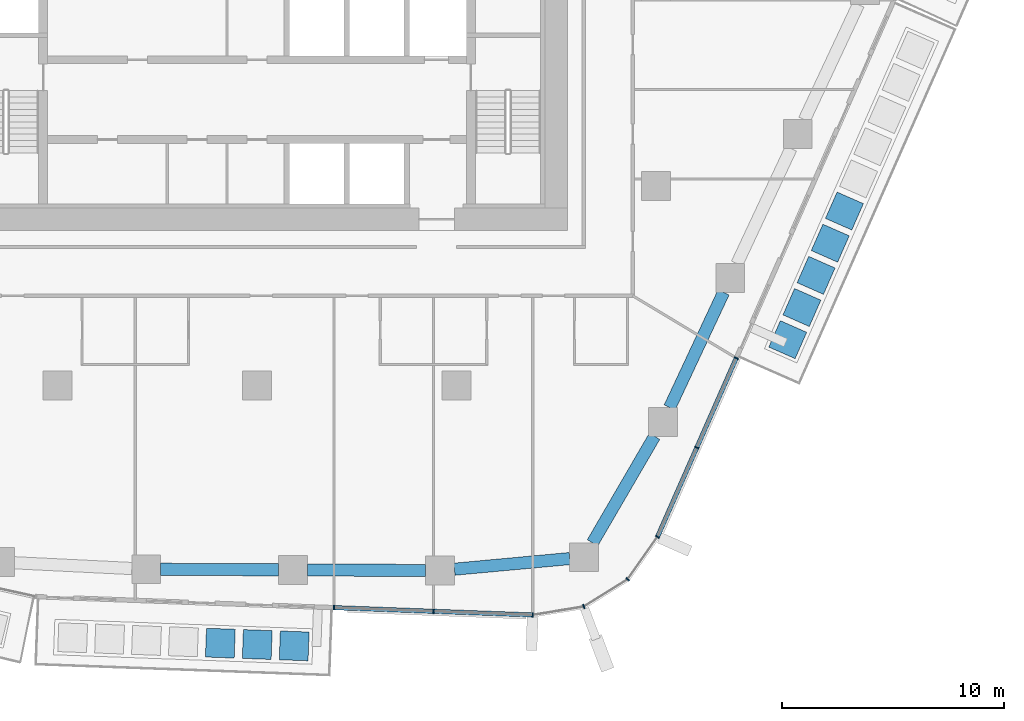
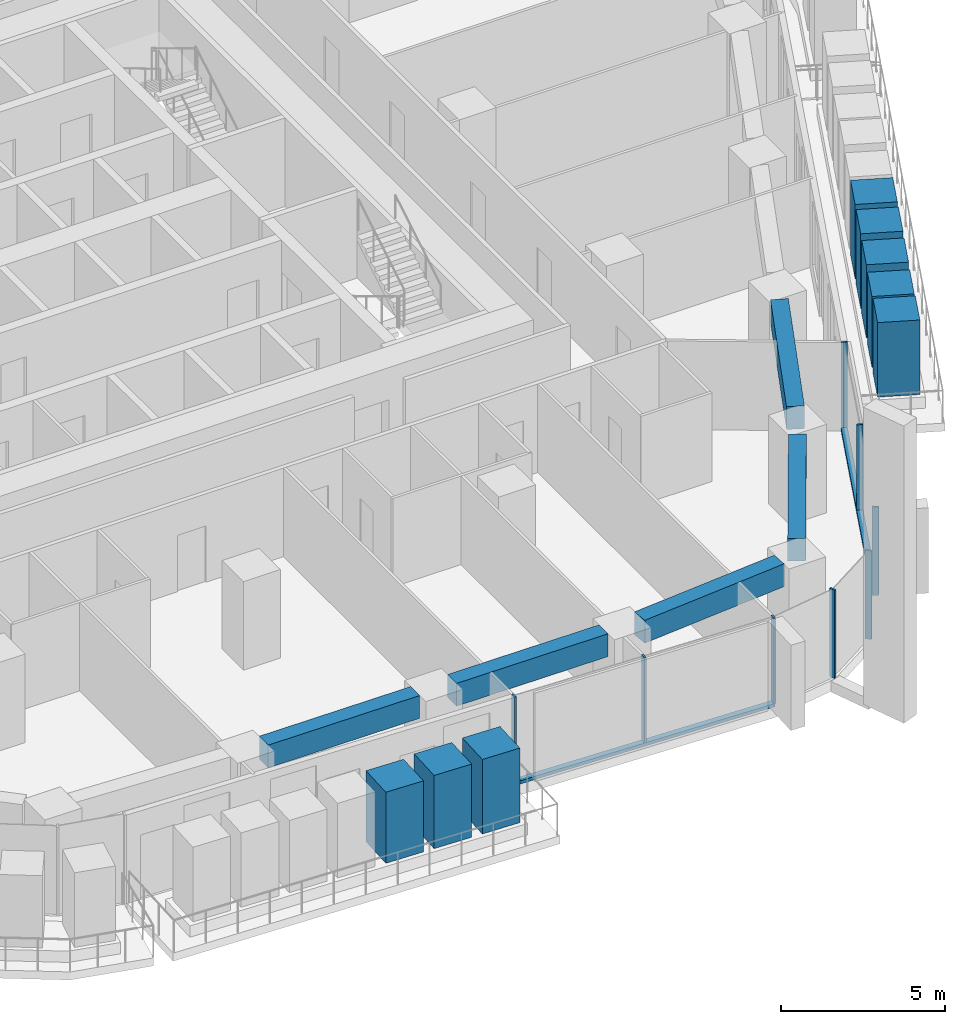
# One storey, part 4 of 24: 18 members, 5 beams, 3 elements without a shape of their own.
"""IFC4 building model written with IfcOpenShell, lengths in metres."""

from ifc_helpers import new_model, si_unit, direction, frame, origin, origin_2d, place, context, subcontext, project, spatial, rectangle, extrude, material, layer, layer_set, material_profile, profile_set, type_object, element, aggregate, save


model = new_model("IFC4")

# Units and contexts
model_context = context("Model", 3, precision=1e-05, world=origin(), true_north=direction((0.0, 1.0)))
body_context = subcontext(model_context, "Body", "Model", "MODEL_VIEW")
ifc_project = project(units=[si_unit("LENGTHUNIT", "METRE"), si_unit("AREAUNIT", "SQUARE_METRE"), si_unit("VOLUMEUNIT", "CUBIC_METRE"), si_unit("PLANEANGLEUNIT", "RADIAN"), si_unit("MASSUNIT", "GRAM", prefix="KILO")], contexts=[model_context])

# Site, building, storey
site_placement = place(None, origin())
site = spatial("IfcSite", under=ifc_project, at=site_placement, CompositionType="ELEMENT")
building_placement = place(site_placement, origin())
building = spatial("IfcBuilding", under=site, at=building_placement, Name="Dongbaek Canopy Tower", CompositionType="ELEMENT")
storey_placement = place(building_placement, frame((0.0, 0.0, 106.300048828125)))
storey = spatial("IfcBuildingStorey", under=building, at=storey_placement, Name="L22", CompositionType="ELEMENT", Elevation=106.300048828125)

# Curtain wall, members
ifc_material_1 = material(Name="Aluminium 6063-T6 pale anodised", Category="aluminium")
ifc_layer = layer(ifc_material_1, 0.199951171875)
ifc_layer_set = layer_set([ifc_layer], Name="CW-1 unitised tower curtain wall")
curtain_wall_type = type_object("IfcCurtainWallType", Name="CW-1 unitised tower curtain wall", PredefinedType="NOTDEFINED", material=ifc_layer_set)
curtain_wall_1_placement = place(storey_placement, origin())
curtain_wall_1 = element("IfcCurtainWall", 1, at=curtain_wall_1_placement, inside=storey, type_object=curtain_wall_type, Name="CW-1 curtain wall F4.1", PredefinedType="NOTDEFINED")
ifc_material_2 = material(Name="Aluminium 6063-T6 pale anodised", Category="aluminium")
ifc_material_profile_1 = material_profile(ifc_material_2, rectangle(XDim=0.199951171875, YDim=0.06005859375, at=origin_2d()), Name="CW-1 mullion 60 x 200")
ifc_profile_set_1 = profile_set([ifc_material_profile_1], Name="Aluminium 6063-T6 pale anodised")
member_type_1 = type_object("IfcMemberType", Name="CW-1 mullion 60 x 200", PredefinedType="MULLION", material=ifc_profile_set_1)
member_1_placement = place(storey_placement, frame((3.475830078125, -28.024169921875, 0.119873046875), z_axis=(0.0, 0.0, 1.0), x_axis=(-0.036872652499, -0.99931997253, 0.0)))
member_1 = element("IfcMember", 2, at=member_1_placement, type_object=member_type_1, Name="CW-1 mullion F4.1.1", PredefinedType="MULLION", context=body_context, shape_type="SweptSolid", body=[
    extrude(rectangle(XDim=0.199951171875, YDim=0.06005859375, at=origin_2d()), origin(), (0.0, 0.0, 1.0), 3.18017578125),
])
member_2_placement = place(storey_placement, frame((7.962646484375, -28.189697265625, 0.119873046875), z_axis=(0.0, 0.0, 1.0), x_axis=(-0.036872652499, -0.99931997253, 0.0)))
member_2 = element("IfcMember", 3, at=member_2_placement, type_object=member_type_1, Name="CW-1 mullion F4.1.2", PredefinedType="MULLION", context=body_context, shape_type="SweptSolid", body=[
    extrude(rectangle(XDim=0.199951171875, YDim=0.06005859375, at=origin_2d()), origin(), (0.0, 0.0, 1.0), 3.18017578125),
])
member_3_placement = place(storey_placement, frame((12.439453125, -28.354736328125, 0.119873046875), z_axis=(0.0, 0.0, 1.0), x_axis=(-0.036872652499, -0.99931997253, 0.0)))
member_3 = element("IfcMember", 4, at=member_3_placement, type_object=member_type_1, Name="CW-1 mullion F4.1.3", PredefinedType="MULLION", context=body_context, shape_type="SweptSolid", body=[
    extrude(rectangle(XDim=0.199951171875, YDim=0.06005859375, at=origin_2d()), origin(), (0.0, 0.0, 1.0), 3.18017578125),
])

curtain_wall_2_placement = place(storey_placement, origin())
curtain_wall_2 = element("IfcCurtainWall", 5, at=curtain_wall_2_placement, inside=storey, type_object=curtain_wall_type, Name="CW-1 curtain wall K5.1", PredefinedType="NOTDEFINED")
member_4_placement = place(storey_placement, frame((14.748291015625, -27.977783203125, 0.0), z_axis=(0.0, 0.0, 1.0), x_axis=(0.352875095739, -0.93567043707, 0.0)))
member_4 = element("IfcMember", 6, at=member_4_placement, type_object=member_type_1, Name="CW-1 mullion K5.1.2", PredefinedType="MULLION", context=body_context, shape_type="SweptSolid", body=[
    extrude(rectangle(XDim=0.199951171875, YDim=0.06005859375, at=origin_2d()), origin(), (0.0, 0.0, 1.0), 3.300048828125),
])
member_5_placement = place(storey_placement, frame((16.722412109375, -26.74169921875, 0.0), z_axis=(0.0, 0.0, 1.0), x_axis=(0.687590359938, -0.726098820355, 0.0)))
member_5 = element("IfcMember", 7, at=member_5_placement, type_object=member_type_1, Name="CW-1 mullion K5.1.3", PredefinedType="MULLION", context=body_context, shape_type="SweptSolid", body=[
    extrude(rectangle(XDim=0.199951171875, YDim=0.06005859375, at=origin_2d()), origin(), (0.0, 0.0, 1.0), 3.300048828125),
])
member_6_placement = place(storey_placement, frame((18.070068359375, -24.829345703125, 0.0), z_axis=(0.0, 0.0, 1.0), x_axis=(0.817425136867, -0.576034847572, 0.0)))
member_6 = element("IfcMember", 8, at=member_6_placement, type_object=member_type_1, Name="CW-1 mullion K5.1.4", PredefinedType="MULLION", context=body_context, shape_type="SweptSolid", body=[
    extrude(rectangle(XDim=0.199951171875, YDim=0.06005859375, at=origin_2d()), origin(), (0.0, 0.0, 1.0), 3.300048828125),
])
aggregate(curtain_wall_2, [member_4, member_5, member_6])

curtain_wall_3_placement = place(storey_placement, origin())
curtain_wall_3 = element("IfcCurtainWall", 9, at=curtain_wall_3_placement, inside=storey, type_object=curtain_wall_type, Name="CW-1 curtain wall F5.1", PredefinedType="NOTDEFINED")
member_7_placement = place(storey_placement, frame((19.84619140625, -20.799072265625, 0.119873046875), z_axis=(0.0, 0.0, 1.0), x_axis=(0.915072764797, -0.403288773867, 0.0)))
member_7 = element("IfcMember", 10, at=member_7_placement, type_object=member_type_1, Name="CW-1 mullion F5.1.2", PredefinedType="MULLION", context=body_context, shape_type="SweptSolid", body=[
    extrude(rectangle(XDim=0.199951171875, YDim=0.06005859375, at=origin_2d()), origin(), (0.0, 0.0, 1.0), 3.18017578125),
])
member_8_placement = place(storey_placement, frame((21.62646484375, -16.759765625, 0.119873046875), z_axis=(0.0, 0.0, 1.0), x_axis=(0.915072764797, -0.403288773867, 0.0)))
member_8 = element("IfcMember", 11, at=member_8_placement, type_object=member_type_1, Name="CW-1 mullion F5.1.3", PredefinedType="MULLION", context=body_context, shape_type="SweptSolid", body=[
    extrude(rectangle(XDim=0.199951171875, YDim=0.06005859375, at=origin_2d()), origin(), (0.0, 0.0, 1.0), 3.18017578125),
])

# Member
ifc_material_3 = material(Name="Aluminium 6063-T6 pale anodised", Category="aluminium")
ifc_material_profile_2 = material_profile(ifc_material_3, rectangle(XDim=0.199951171875, YDim=0.1201171875, at=origin_2d()), Name="CW-1 transom 120 x 200")
ifc_profile_set_2 = profile_set([ifc_material_profile_2], Name="Aluminium 6063-T6 pale anodised")
member_type_2 = type_object("IfcMemberType", Name="CW-1 transom 120 x 200", PredefinedType="USERDEFINED", material=ifc_profile_set_2)
member_9_placement = place(storey_placement, frame((3.475830078125, -28.024169921875, 0.06005859375), z_axis=(0.999320675071, -0.036853607355, 0.0), x_axis=(0.036853607355, 0.999320675071, 0.0)))
member_9 = element("IfcMember", 12, at=member_9_placement, type_object=member_type_2, Name="CW-1 transom F4.1.1", ObjectType="TRANSOM", PredefinedType="USERDEFINED", context=body_context, shape_type="SweptSolid", body=[
    extrude(rectangle(XDim=0.199951171875, YDim=0.1201171875, at=origin_2d()), origin(), (0.0, 0.0, 1.0), 8.9697265625),
])

aggregate(curtain_wall_1, [member_1, member_2, member_3, member_9])

member_10_placement = place(storey_placement, frame((18.070068359375, -24.829345703125, 0.06005859375), z_axis=(0.403287788943, 0.91507319887, 0.0), x_axis=(-0.91507319887, 0.403287788943, 0.0)))
member_10 = element("IfcMember", 13, at=member_10_placement, type_object=member_type_2, Name="CW-1 transom F5.1.1", ObjectType="TRANSOM", PredefinedType="USERDEFINED", context=body_context, shape_type="SweptSolid", body=[
    extrude(rectangle(XDim=0.199951171875, YDim=0.1201171875, at=origin_2d()), origin(), (0.0, 0.0, 1.0), 8.818603515625),
])

aggregate(curtain_wall_3, [member_7, member_8, member_10])

# Beams
ifc_material_4 = material(Name="Concrete C80", Category="concrete")
ifc_material_profile_3 = material_profile(ifc_material_4, rectangle(XDim=0.550048828125, YDim=0.85009765625, at=origin_2d()), Name="RC EDGE BEAM 550x850 C80")
ifc_profile_set_3 = profile_set([ifc_material_profile_3], Name="Concrete C80")
beam_type = type_object("IfcBeamType", Name="RC EDGE BEAM 550x850 C80", PredefinedType="BEAM", material=ifc_profile_set_3)
beam_1_placement = place(storey_placement, frame((14.110107421875, -25.80908203125, 2.875), z_axis=(-0.995770494827, -0.091875576911, 0.0), x_axis=(0.091875576911, -0.995770494827, 0.0)))
element("IfcBeam", 14, at=beam_1_placement, inside=storey, type_object=beam_type, Name="EDGEBEAM:L22:00", PredefinedType="BEAM", context=body_context, shape_type="SweptSolid", body=[
    extrude(rectangle(XDim=0.550048828125, YDim=0.85009765625, at=origin_2d()), origin(), (0.0, 0.0, 1.0), 5.224365234375),
])
beam_2_placement = place(storey_placement, frame((7.60791015625, -26.34619140625, 2.875), z_axis=(-0.999989714022, 0.004535620181, 0.0), x_axis=(-0.004535620181, -0.999989714022, 0.0)))
element("IfcBeam", 15, at=beam_2_placement, inside=storey, type_object=beam_type, Name="EDGEBEAM:L22:01", PredefinedType="BEAM", context=body_context, shape_type="SweptSolid", body=[
    extrude(rectangle(XDim=0.550048828125, YDim=0.85009765625, at=origin_2d()), origin(), (0.0, 0.0, 1.0), 5.328857421875),
])
beam_3_placement = place(storey_placement, frame((0.97900390625, -26.316162109375, 2.875), z_axis=(-0.999990328846, 0.004397978357, 0.0), x_axis=(-0.004397978357, -0.999990328846, 0.0)))
element("IfcBeam", 16, at=beam_3_placement, inside=storey, type_object=beam_type, Name="EDGEBEAM:L22:02", PredefinedType="BEAM", context=body_context, shape_type="SweptSolid", body=[
    extrude(rectangle(XDim=0.550048828125, YDim=0.85009765625, at=origin_2d()), origin(), (0.0, 0.0, 1.0), 5.3291015625),
])
beam_4_placement = place(storey_placement, frame((21.051513671875, -13.800048828125, 2.875), z_axis=(-0.424209119096, -0.905564256845, 0.0), x_axis=(0.905564256845, -0.424209119096, 0.0)))
element("IfcBeam", 17, at=beam_4_placement, inside=storey, type_object=beam_type, Name="EDGEBEAM:L22:24", PredefinedType="BEAM", context=body_context, shape_type="SweptSolid", body=[
    extrude(rectangle(XDim=0.550048828125, YDim=0.85009765625, at=origin_2d()), origin(), (0.0, 0.0, 1.0), 5.7333984375),
])
beam_5_placement = place(storey_placement, frame((17.9365234375, -20.2919921875, 2.875), z_axis=(-0.503057531083, -0.864252926186, 0.0), x_axis=(0.864252926186, -0.503057531083, 0.0)))
element("IfcBeam", 18, at=beam_5_placement, inside=storey, type_object=beam_type, Name="EDGEBEAM:L22:25", PredefinedType="BEAM", context=body_context, shape_type="SweptSolid", body=[
    extrude(rectangle(XDim=0.550048828125, YDim=0.85009765625, at=origin_2d()), origin(), (0.0, 0.0, 1.0), 5.562255859375),
])

# Members
ifc_material_5 = material(Name="Concrete C40/50 planter mass with planting", Category="concrete")
ifc_material_profile_4 = material_profile(ifc_material_5, rectangle(XDim=1.300048828125, YDim=1.300048828125, at=origin_2d()), Name="Terrace PLANTER shrub mass 1300 x 1300")
ifc_profile_set_4 = profile_set([ifc_material_profile_4], Name="Concrete C40/50 planter mass with planting")
member_type_3 = type_object("IfcMemberType", Name="Terrace PLANTER shrub mass 1300 x 1300", PredefinedType="USERDEFINED", material=ifc_profile_set_4)
member_11_placement = place(storey_placement, frame((-1.654296875, -29.6259765625, 0.419921875), z_axis=(0.0, 0.0, 1.0), x_axis=(-0.036872652499, -0.99931997253, 0.0)))
element("IfcMember", 19, at=member_11_placement, inside=storey, type_object=member_type_3, Name="Planter shrubs L22 4.5", ObjectType="PLANTER", PredefinedType="USERDEFINED", context=body_context, shape_type="SweptSolid", body=[
    extrude(rectangle(XDim=1.300048828125, YDim=1.300048828125, at=origin_2d()), origin(), (0.0, 0.0, 1.0), 2.650146484375),
])
member_12_placement = place(storey_placement, frame((0.01171875, -29.6875, 0.419921875), z_axis=(0.0, 0.0, 1.0), x_axis=(-0.036872652499, -0.99931997253, 0.0)))
element("IfcMember", 20, at=member_12_placement, inside=storey, type_object=member_type_3, Name="Planter shrubs L22 4.6", ObjectType="PLANTER", PredefinedType="USERDEFINED", context=body_context, shape_type="SweptSolid", body=[
    extrude(rectangle(XDim=1.300048828125, YDim=1.300048828125, at=origin_2d()), origin(), (0.0, 0.0, 1.0), 2.72998046875),
])
for number, where, z_axis, x_axis, name in (
    (21, (1.677490234375, -29.7490234375, 0.419921875), (0.0, 0.0, 1.0), (-0.036872652499, -0.99931997253, 0.0), "Planter shrubs L22 4.7"),
    (22, (23.947265625, -15.932373046875, 0.419921875), (0.0, 0.0, 1.0), (0.915072764797, -0.403288773867, 0.0), "Planter shrubs L22 5.1"),
):
    element("IfcMember", number, at=place(storey_placement, frame(where, z_axis=z_axis, x_axis=x_axis)), inside=storey, type_object=member_type_3, Name=name, ObjectType="PLANTER", PredefinedType="USERDEFINED", context=body_context, shape_type="SweptSolid", body=[
        extrude(rectangle(XDim=1.300048828125, YDim=1.300048828125, at=origin_2d()), origin(), (0.0, 0.0, 1.0), 2.780029296875),
    ])
member_13_placement = place(storey_placement, frame((24.586669921875, -14.4814453125, 0.419921875), z_axis=(0.0, 0.0, 1.0), x_axis=(0.915072764797, -0.403288773867, 0.0)))
element("IfcMember", 23, at=member_13_placement, inside=storey, type_object=member_type_3, Name="Planter shrubs L22 5.2", ObjectType="PLANTER", PredefinedType="USERDEFINED", context=body_context, shape_type="SweptSolid", body=[
    extrude(rectangle(XDim=1.300048828125, YDim=1.300048828125, at=origin_2d()), origin(), (0.0, 0.0, 1.0), 2.650146484375),
])
member_14_placement = place(storey_placement, frame((25.226318359375, -13.0302734375, 0.419921875), z_axis=(0.0, 0.0, 1.0), x_axis=(0.915072764797, -0.403288773867, 0.0)))
element("IfcMember", 24, at=member_14_placement, inside=storey, type_object=member_type_3, Name="Planter shrubs L22 5.3", ObjectType="PLANTER", PredefinedType="USERDEFINED", context=body_context, shape_type="SweptSolid", body=[
    extrude(rectangle(XDim=1.300048828125, YDim=1.300048828125, at=origin_2d()), origin(), (0.0, 0.0, 1.0), 2.72998046875),
])
member_15_placement = place(storey_placement, frame((25.86572265625, -11.579345703125, 0.419921875), z_axis=(0.0, 0.0, 1.0), x_axis=(0.915072764797, -0.403288773867, 0.0)))
element("IfcMember", 25, at=member_15_placement, inside=storey, type_object=member_type_3, Name="Planter shrubs L22 5.4", ObjectType="PLANTER", PredefinedType="USERDEFINED", context=body_context, shape_type="SweptSolid", body=[
    extrude(rectangle(XDim=1.300048828125, YDim=1.300048828125, at=origin_2d()), origin(), (0.0, 0.0, 1.0), 2.780029296875),
])
member_16_placement = place(storey_placement, frame((26.505126953125, -10.128173828125, 0.419921875), z_axis=(0.0, 0.0, 1.0), x_axis=(0.915072764797, -0.403288773867, 0.0)))
element("IfcMember", 26, at=member_16_placement, inside=storey, type_object=member_type_3, Name="Planter shrubs L22 5.5", ObjectType="PLANTER", PredefinedType="USERDEFINED", context=body_context, shape_type="SweptSolid", body=[
    extrude(rectangle(XDim=1.300048828125, YDim=1.300048828125, at=origin_2d()), origin(), (0.0, 0.0, 1.0), 2.77001953125),
])

save(model, "model.ifc")
